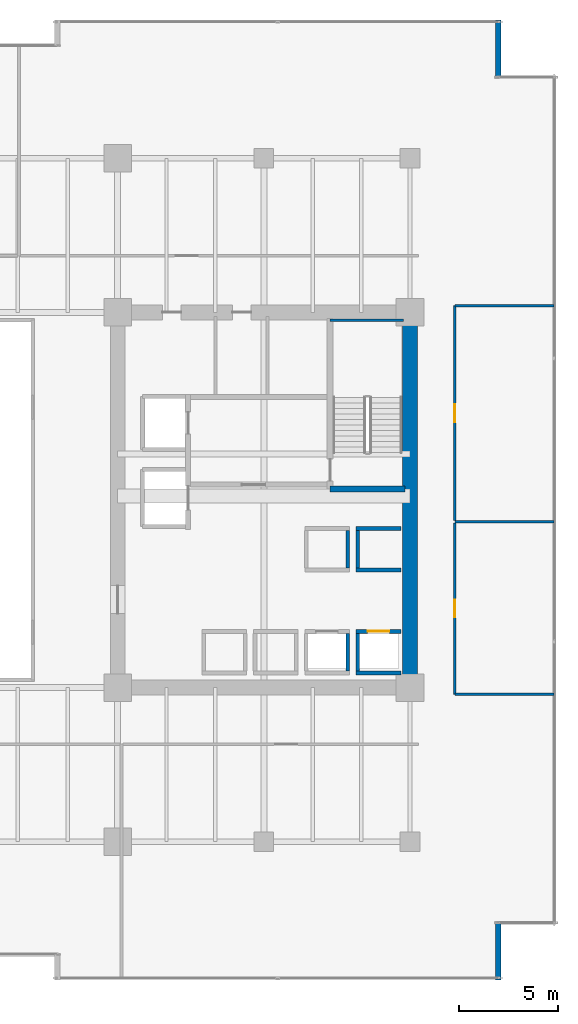
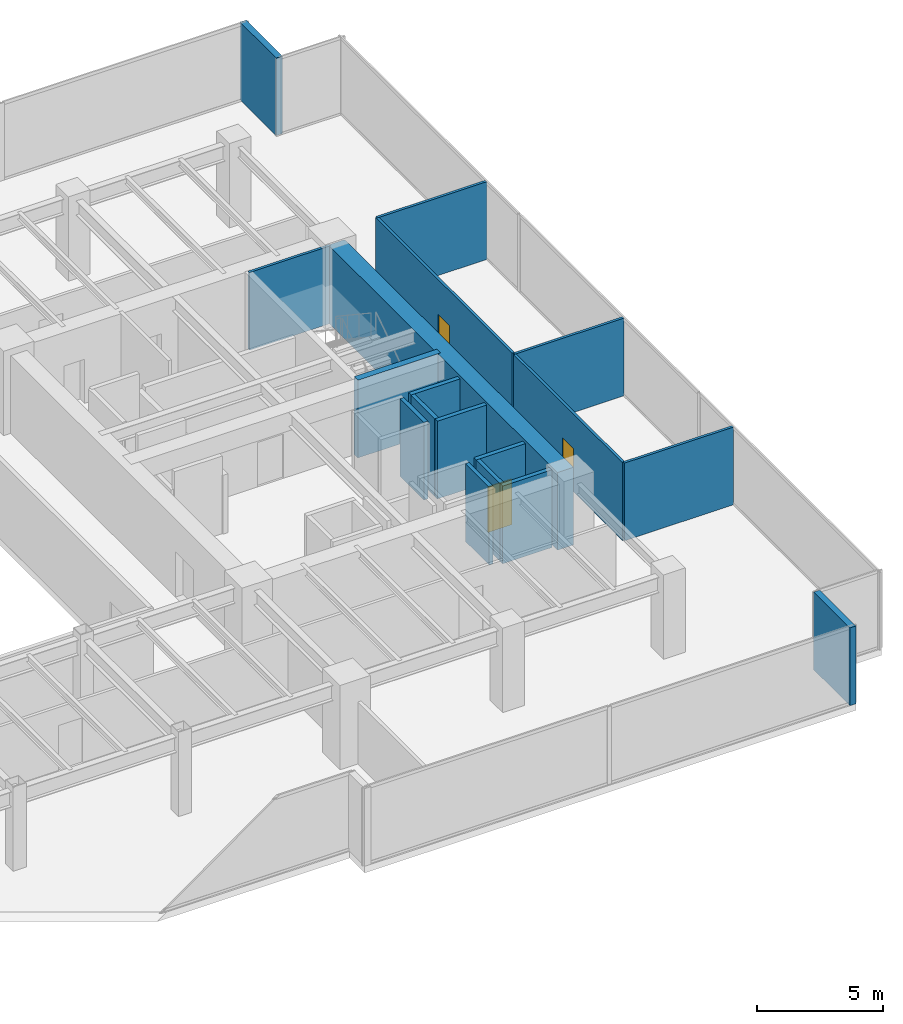
# One storey, part 32 of 35: 18 walls, 3 doors, 3 openings.
"""IFC4 building model written with IfcOpenShell, lengths in metres."""

from ifc_helpers import new_model, si_unit, direction, frame, frame_2d, origin, place, context, subcontext, project, spatial, rectangle, extrude, source, transform, mapped, material, layer, layer_set, type_object, type_shapes, element, fill, save


model = new_model("IFC4")

# Units and contexts
model_context = context("Model", 3, precision=1e-05, world=origin(), true_north=direction((0.0, 1.0)))
body_context = subcontext(model_context, "Body", "Model", "MODEL_VIEW")
ifc_project = project(units=[si_unit("LENGTHUNIT", "METRE"), si_unit("AREAUNIT", "SQUARE_METRE"), si_unit("VOLUMEUNIT", "CUBIC_METRE"), si_unit("PLANEANGLEUNIT", "RADIAN"), si_unit("MASSUNIT", "GRAM", prefix="KILO")], contexts=[model_context])

# Site, building, storey
site_placement = place(None, origin())
site = spatial("IfcSite", under=ifc_project, at=site_placement, CompositionType="ELEMENT")
building_placement = place(site_placement, origin())
building = spatial("IfcBuilding", under=site, at=building_placement, Name="Haelvirn Gate Laboratories", CompositionType="ELEMENT")
storey_placement = place(building_placement, frame((0.0, 0.0, 37.5)))
storey = spatial("IfcBuildingStorey", under=building, at=storey_placement, Name="L09", CompositionType="ELEMENT", Elevation=37.5)

# Walls
ifc_material_1 = material(Name="Thermally-broken bronze aluminium rainscreen & mineral wool", Category="aluminium")
ifc_layer_1 = layer(ifc_material_1, 0.280029296875, Name="EW-TERR-280")
ifc_layer_set_1 = layer_set([ifc_layer_1], Name="Thermally-broken bronze aluminium rainscreen & mineral wool")
wall_type_1 = type_object("IfcWallType", Name="EW-TERR-280", PredefinedType="STANDARD", material=ifc_layer_set_1)
wall_1_placement = place(storey_placement, frame((71.860107421875, 0.0, 0.0), z_axis=(0.0, 0.0, 1.0), x_axis=(0.0, 1.0, 0.0)))
element("IfcWall", 1, at=wall_1_placement, inside=storey, type_object=wall_type_1, Name="L09 Atrium Recess Bronze Return Wall 05", PredefinedType="STANDARD", context=body_context, shape_type="SweptSolid", body=[
    extrude(rectangle(XDim=2.887939453125, YDim=0.280029296875, at=frame_2d((1.44384765625, 0.0))), origin(), (0.0, 0.0, 1.0), 3.780029296875),
])
wall_2_placement = place(storey_placement, frame((71.860107421875, 45.7119140625, 0.0), z_axis=(0.0, 0.0, 1.0), x_axis=(0.0, 1.0, 0.0)))
element("IfcWall", 2, at=wall_2_placement, inside=storey, type_object=wall_type_1, Name="L09 Atrium Recess Bronze Return Wall 09", PredefinedType="STANDARD", context=body_context, shape_type="SweptSolid", body=[
    extrude(rectangle(XDim=2.88818359375, YDim=0.280029296875, at=frame_2d((1.444091796875, 0.0))), origin(), (0.0, 0.0, 1.0), 3.780029296875),
])
ifc_material_2 = material(Name="Lightweight acoustic gypsum board partition", Category="gypsum")
ifc_layer_2 = layer(ifc_material_2, 0.1201171875, Name="IW-PART-120")
ifc_layer_set_2 = layer_set([ifc_layer_2], Name="Lightweight acoustic gypsum board partition")
wall_type_2 = type_object("IfcWallType", Name="IW-PART-120", PredefinedType="PARTITIONING", material=ifc_layer_set_2)
for number, where, z_axis, x_axis, name in (
    (3, (69.669921875, 14.465087890625, 0.0), (0.0, 0.0, 1.0), (1.0, 0.0, 0.0), "L09 Interior Wall IW-L09-ECAP-S"),
    (4, (69.669921875, 34.135009765625, 0.0), (0.0, 0.0, 1.0), (1.0, 0.0, 0.0), "L09 Interior Wall IW-L09-ECAP-N"),
):
    element("IfcWall", number, at=place(storey_placement, frame(where, z_axis=z_axis, x_axis=x_axis)), inside=storey, type_object=wall_type_2, Name=name, PredefinedType="PARTITIONING", context=body_context, shape_type="SweptSolid", body=[
        extrude(rectangle(XDim=5.02001953125, YDim=0.1201171875, at=frame_2d((2.510009765625, 0.0))), origin(), (0.0, 0.0, 1.0), 3.780029296875),
    ])

# Wall, opening, door
wall_3_placement = place(storey_placement, frame((69.669921875, 14.465087890625, 0.0), z_axis=(0.0, 0.0, 1.0), x_axis=(0.0, 1.0, 0.0)))
wall_3 = element("IfcWall", 5, at=wall_3_placement, inside=storey, type_object=wall_type_2, Name="L09 Interior Wall IW-L09-EPASS-01", PredefinedType="PARTITIONING", context=body_context, shape_type="SweptSolid", body=[
    extrude(rectangle(XDim=8.6748046875, YDim=0.1201171875, at=frame_2d((4.33740234375, 0.0))), origin(), (0.0, 0.0, 1.0), 3.780029296875),
])
opening_1_placement = place(wall_3_placement, frame((3.887451171875, 0.0, 0.0)))
opening_1 = element("IfcOpeningElement", 6, at=opening_1_placement, cuts=wall_3, Name="Opening D4", PredefinedType="OPENING", context=body_context, shape_type="SweptSolid", body=[
    extrude(rectangle(XDim=0.89990234375, YDim=2.10009765625, at=frame_2d((0.449951171875, 1.050048828125))), frame((0.0, 0.070068359375, 0.0), z_axis=(0.0, -1.0, 0.0), x_axis=(1.0, 0.0, 0.0)), (0.0, 0.0, 1.0), 0.14013671875),
])
ifc_material_3 = material(Name="Glazed aluminium-framed write-up door", Category="aluminium")
door_type_1 = type_object("IfcDoorType", Name="DR-OFF-900", OperationType="NOTDEFINED", PredefinedType="DOOR", material=ifc_material_3)
shared_shape_1 = source(origin(), body_context, "Body", "SweptSolid", [
    extrude(rectangle(XDim=0.89990234375, YDim=2.10009765625, at=frame_2d((0.449951171875, 1.050048828125))), frame((0.0, 0.02490234375, 0.0), z_axis=(0.0, -1.0, 0.0), x_axis=(1.0, 0.0, 0.0)), (0.0, 0.0, 1.0), 0.050048828125),
])
type_shapes(door_type_1, [shared_shape_1])
door_1_placement = place(opening_1_placement, origin())
door_1 = element("IfcDoor", 7, at=door_1_placement, inside=storey, type_object=door_type_1, Name="L09 Bioprocess Foundry Laboratory Door E1", OperationType="SINGLE_SWING_LEFT", OverallHeight=2.10009765625, OverallWidth=0.89990234375, PredefinedType="DOOR", context=body_context, shape_type="MappedRepresentation", body=[
    mapped(shared_shape_1, transform((0.0, 0.0, 0.0), scale=1.0)),
])
fill(opening_1, door_1)

# Wall
wall_4_placement = place(storey_placement, frame((69.669921875, 23.199951171875, 0.0), z_axis=(0.0, 0.0, 1.0), x_axis=(1.0, 0.0, 0.0)))
element("IfcWall", 8, at=wall_4_placement, inside=storey, type_object=wall_type_2, Name="L09 Interior Wall IW-L09-EDIV-01", PredefinedType="PARTITIONING", context=body_context, shape_type="SweptSolid", body=[
    extrude(rectangle(XDim=5.02001953125, YDim=0.1201171875, at=frame_2d((2.510009765625, 0.0))), origin(), (0.0, 0.0, 1.0), 3.780029296875),
])

# Wall, opening, door
wall_5_placement = place(storey_placement, frame((69.669921875, 23.260009765625, 0.0), z_axis=(0.0, 0.0, 1.0), x_axis=(0.0, 1.0, 0.0)))
wall_5 = element("IfcWall", 9, at=wall_5_placement, inside=storey, type_object=wall_type_2, Name="L09 Interior Wall IW-L09-EPASS-02", PredefinedType="PARTITIONING", context=body_context, shape_type="SweptSolid", body=[
    extrude(rectangle(XDim=10.875, YDim=0.1201171875, at=frame_2d((5.4375, 0.0))), origin(), (0.0, 0.0, 1.0), 3.780029296875),
])
opening_2_placement = place(wall_5_placement, frame((4.987548828125, 0.0, 0.0)))
opening_2 = element("IfcOpeningElement", 10, at=opening_2_placement, cuts=wall_5, Name="Opening D4", PredefinedType="OPENING", context=body_context, shape_type="SweptSolid", body=[
    extrude(rectangle(XDim=0.89990234375, YDim=2.10009765625, at=frame_2d((0.449951171875, 1.050048828125))), frame((0.0, 0.070068359375, 0.0), z_axis=(0.0, -1.0, 0.0), x_axis=(1.0, 0.0, 0.0)), (0.0, 0.0, 1.0), 0.14013671875),
])
door_2_placement = place(opening_2_placement, origin())
door_2 = element("IfcDoor", 11, at=door_2_placement, inside=storey, type_object=door_type_1, Name="L09 Genomics Assay Laboratory Door E2", OperationType="SINGLE_SWING_RIGHT", OverallHeight=2.10009765625, OverallWidth=0.89990234375, PredefinedType="DOOR", context=body_context, shape_type="MappedRepresentation", body=[
    mapped(shared_shape_1, transform((0.0, 0.0, 0.0), scale=1.0)),
])
fill(opening_2, door_2)

# Walls
ifc_material_4 = material(Name="Concrete C40/50", Category="concrete")
ifc_layer_3 = layer(ifc_material_4, 0.179931640625, Name="IW-SHAFT-180")
ifc_layer_set_3 = layer_set([ifc_layer_3], Name="Concrete C40/50")
wall_type_3 = type_object("IfcWallType", Name="IW-SHAFT-180", PredefinedType="SOLIDWALL", material=ifc_layer_set_3)
for number, where, z_axis, x_axis, name in (
    (12, (64.75, 15.64990234375, 0.0), (0.0, 0.0, 1.0), (0.0, 1.0, 0.0), "L09 Interior Wall IW-L09-PL3-SD"),
    (13, (64.25, 15.64990234375, 0.0), (0.0, 0.0, 1.0), (0.0, 1.0, 0.0), "L09 Interior Wall IW-L09-PL4-SDE"),
):
    element("IfcWall", number, at=place(storey_placement, frame(where, z_axis=z_axis, x_axis=x_axis)), inside=storey, type_object=wall_type_3, Name=name, PredefinedType="SOLIDWALL", context=body_context, shape_type="SweptSolid", body=[
        extrude(rectangle(XDim=1.900146484375, YDim=0.179931640625, at=frame_2d((0.9501953125, 0.0))), origin(), (0.0, 0.0, 1.0), 3.780029296875),
    ])
for number, where, z_axis, x_axis, name in (
    (14, (64.75, 20.85009765625, 0.0), (0.0, 0.0, 1.0), (0.0, 1.0, 0.0), "L09 Interior Wall IW-L09-PL11-SD"),
    (15, (64.25, 20.85009765625, 0.0), (0.0, 0.0, 1.0), (0.0, 1.0, 0.0), "L09 Interior Wall IW-L09-PL12-SDE"),
):
    element("IfcWall", number, at=place(storey_placement, frame(where, z_axis=z_axis, x_axis=x_axis)), inside=storey, type_object=wall_type_3, Name=name, PredefinedType="SOLIDWALL", context=body_context, shape_type="SweptSolid", body=[
        extrude(rectangle(XDim=1.89990234375, YDim=0.179931640625, at=frame_2d((0.949951171875, 0.0))), origin(), (0.0, 0.0, 1.0), 3.780029296875),
    ])

# Wall, opening, door
ifc_layer_4 = layer(ifc_material_4, 0.199951171875, Name="IW-SHAFT-200")
ifc_layer_set_4 = layer_set([ifc_layer_4], Name="Concrete C40/50")
wall_type_4 = type_object("IfcWallType", Name="IW-SHAFT-200", PredefinedType="SOLIDWALL", material=ifc_layer_set_4)
wall_6_placement = place(storey_placement, frame((64.669921875, 17.64990234375, 0.0), z_axis=(0.0, 0.0, 1.0), x_axis=(1.0, 0.0, 0.0)))
wall_6 = element("IfcWall", 16, at=wall_6_placement, inside=storey, type_object=wall_type_4, Name="L09 Interior Wall IW-L09-PL3-FR", PredefinedType="SOLIDWALL", context=body_context, shape_type="SweptSolid", body=[
    extrude(rectangle(XDim=2.260009765625, YDim=0.199951171875, at=frame_2d((1.1298828125, 0.0))), origin(), (0.0, 0.0, 1.0), 3.780029296875),
])
opening_3_placement = place(wall_6_placement, frame((0.580078125, 0.0, 0.0)))
opening_3 = element("IfcOpeningElement", 17, at=opening_3_placement, cuts=wall_6, Name="Opening LD2", PredefinedType="OPENING", context=body_context, shape_type="SweptSolid", body=[
    extrude(rectangle(XDim=1.10009765625, YDim=2.219970703125, at=frame_2d((0.550048828125, 1.10986328125))), frame((0.0, 0.10986328125, 0.0), z_axis=(0.0, -1.0, 0.0), x_axis=(1.0, 0.0, 0.0)), (0.0, 0.0, 1.0), 0.219970703125),
])
ifc_material_5 = material(Name="Bronze stainless 316L sliding lift landing door")
door_type_2 = type_object("IfcDoorType", Name="DR-LD-1100", OperationType="NOTDEFINED", PredefinedType="USERDEFINED", material=ifc_material_5)
shared_shape_2 = source(origin(), body_context, "Body", "SweptSolid", [
    extrude(rectangle(XDim=1.10009765625, YDim=2.219970703125, at=frame_2d((0.550048828125, 1.10986328125))), frame((0.0, 0.02490234375, 0.0), z_axis=(0.0, -1.0, 0.0), x_axis=(1.0, 0.0, 0.0)), (0.0, 0.0, 1.0), 0.050048828125),
])
type_shapes(door_type_2, [shared_shape_2])
door_3_placement = place(opening_3_placement, origin())
door_3 = element("IfcDoor", 18, at=door_3_placement, inside=storey, type_object=door_type_2, Name="L09 Passenger Lift PL3 Landing Door", ObjectType="LANDING_DOOR", OperationType="SLIDING_TO_LEFT", OverallHeight=2.219970703125, OverallWidth=1.10009765625, PredefinedType="USERDEFINED", context=body_context, shape_type="MappedRepresentation", body=[
    mapped(shared_shape_2, transform((0.0, 0.0, 0.0), scale=1.0)),
])
fill(opening_3, door_3)

# Walls
for number, where, z_axis, x_axis, name in (
    (19, (64.669921875, 15.550048828125, 0.0), (0.0, 0.0, 1.0), (1.0, 0.0, 0.0), "L09 Interior Wall IW-L09-PL3-BK"),
    (20, (64.669921875, 20.75, 0.0), (0.0, 0.0, 1.0), (1.0, 0.0, 0.0), "L09 Interior Wall IW-L09-PL11-FR"),
    (21, (64.669921875, 22.85009765625, 0.0), (0.0, 0.0, 1.0), (1.0, 0.0, 0.0), "L09 Interior Wall IW-L09-PL11-BK"),
):
    element("IfcWall", number, at=place(storey_placement, frame(where, z_axis=z_axis, x_axis=x_axis)), inside=storey, type_object=wall_type_4, Name=name, PredefinedType="SOLIDWALL", context=body_context, shape_type="SweptSolid", body=[
        extrude(rectangle(XDim=2.260009765625, YDim=0.199951171875, at=frame_2d((1.1298828125, 0.0))), origin(), (0.0, 0.0, 1.0), 3.780029296875),
    ])
ifc_material_6 = material(Name="Concrete C70/85", Category="concrete")
ifc_layer_5 = layer(ifc_material_6, 0.75, Name="SW-CORE-750")
ifc_layer_set_5 = layer_set([ifc_layer_5], Name="Concrete C70/85")
wall_type_5 = type_object("IfcWallType", Name="SW-CORE-750", PredefinedType="SHEAR", material=ifc_layer_set_5)
wall_7_placement = place(storey_placement, frame((67.39990234375, 15.175048828125, 0.0), z_axis=(0.0, 0.0, 1.0), x_axis=(0.0, 1.0, 0.0)))
element("IfcWall", 22, at=wall_7_placement, inside=storey, type_object=wall_type_5, Name="L09 E Core Shear Wall E", PredefinedType="SHEAR", context=body_context, shape_type="SweptSolid", body=[
    extrude(rectangle(XDim=18.25, YDim=0.75, at=frame_2d((9.125, 0.0))), origin(), (0.0, 0.0, 1.0), 3.780029296875),
])
ifc_material_7 = material(Name="Concrete C50/60", Category="concrete")
ifc_layer_6 = layer(ifc_material_7, 0.1201171875, Name="SW-LINER-120")
ifc_layer_set_6 = layer_set([ifc_layer_6], Name="Concrete C50/60")
wall_type_6 = type_object("IfcWallType", Name="SW-LINER-120", PredefinedType="SOLIDWALL", material=ifc_layer_set_6)
wall_8_placement = place(storey_placement, frame((63.35009765625, 33.39990234375, 0.0), z_axis=(0.0, 0.0, 1.0), x_axis=(1.0, 0.0, 0.0)))
element("IfcWall", 23, at=wall_8_placement, inside=storey, type_object=wall_type_6, Name="L09 E Core Stair Shaft Liner Wall N", PredefinedType="SOLIDWALL", context=body_context, shape_type="SweptSolid", body=[
    extrude(rectangle(XDim=3.719970703125, YDim=0.1201171875, at=frame_2d((1.85986328125, 0.0))), origin(), (0.0, 0.0, 1.0), 3.780029296875),
])
ifc_layer_7 = layer(ifc_material_7, 0.300048828125, Name="SW-STAIR-300")
ifc_layer_set_7 = layer_set([ifc_layer_7], Name="Concrete C50/60")
wall_type_7 = type_object("IfcWallType", Name="SW-STAIR-300", PredefinedType="SHEAR", material=ifc_layer_set_7)
wall_9_placement = place(storey_placement, frame((63.35009765625, 24.85009765625, 0.0), z_axis=(0.0, 0.0, 1.0), x_axis=(1.0, 0.0, 0.0)))
element("IfcWall", 24, at=wall_9_placement, inside=storey, type_object=wall_type_7, Name="L09 E Core Stair Shaft Structural Wall S", PredefinedType="SHEAR", context=body_context, shape_type="SweptSolid", body=[
    extrude(rectangle(XDim=3.7998046875, YDim=0.300048828125, at=frame_2d((1.89990234375, 0.0))), origin(), (0.0, 0.0, 1.0), 3.780029296875),
])

save(model, "model.ifc")
